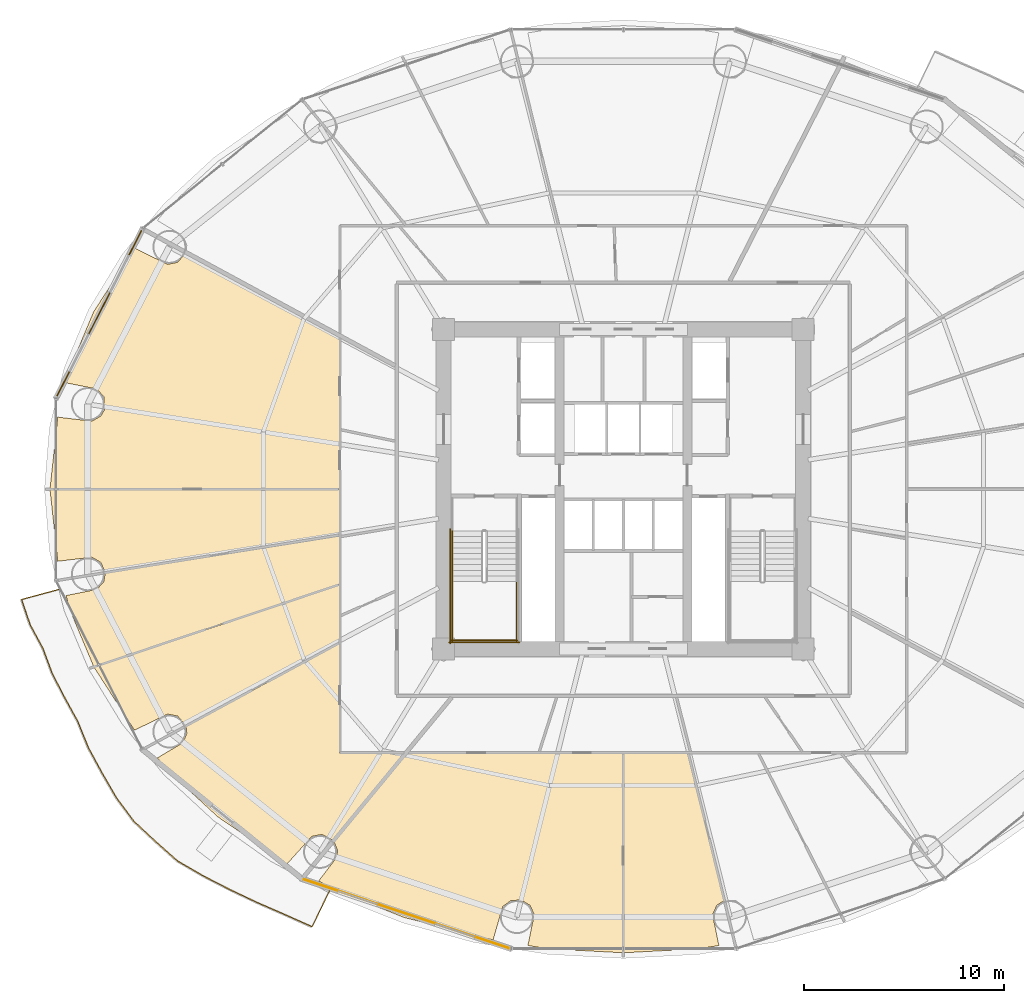
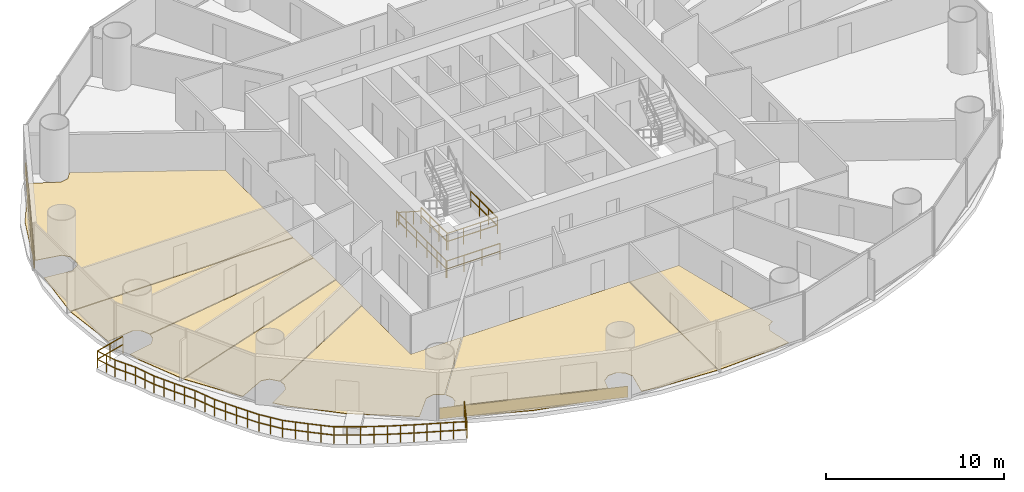
# One storey, part 26 of 29: 9 coverings, 7 railings.
"""IFC4 building model written with IfcOpenShell, lengths in metres."""

import ifcopenshell
import ifcopenshell.guid

model = None  # the IFC model being written
_history = None  # IfcOwnerHistory: only IFC2X3 demands one
_inside = {}  # id of a spatial element -> (the spatial element, [elements in it])
_under = {}  # id of a project, library or spatial element -> (it, [spatial elements below it])
_declared = {}  # id of a project -> (the project, [libraries it declares])
_typed = {}  # id of a type object -> (the type object, [elements of that type])
_made_of = {}  # id of a material, layer set ... -> (it, [elements and type objects made of it])


def new_model(schema):
    """Start an empty IFC model of exactly this schema.

    Asked for "IFC4X3", IfcOpenShell would pick the latest addendum, in which some entities
    have other attributes; the version numbers below select the first issue.
    IFC2X3 requires an IfcOwnerHistory on every rooted entity: one is made here for all.
    """
    global model, _history
    if schema == "IFC4X3":
        model = ifcopenshell.file(schema_version=(4, 3, 0, 0))
    else:
        model = ifcopenshell.file(schema=schema)
    _inside.clear()
    _under.clear()
    _declared.clear()
    _typed.clear()
    _made_of.clear()
    _history = None
    if model.schema == "IFC2X3":
        org = make("IfcOrganization", Name="unknown")
        user = make(
            "IfcPersonAndOrganization",
            ThePerson=make("IfcPerson", FamilyName="unknown"),
            TheOrganization=org,
        )
        app = make(
            "IfcApplication",
            ApplicationDeveloper=org,
            Version="unknown",
            ApplicationFullName="unknown",
            ApplicationIdentifier="unknown",
        )
        _history = make(
            "IfcOwnerHistory",
            OwningUser=user,
            OwningApplication=app,
            ChangeAction="ADDED",
            CreationDate=0,
        )
    return model


def make(cls, **values):
    """One entity of the class cls with the attributes given. An attribute that is None is left unset."""
    return model.create_entity(
        cls, **{name: value for name, value in values.items() if value is not None}
    )


def rooted(cls, **values):
    """An entity with a GlobalId (a new one), such as an element, a storey or a relation."""
    return make(cls, GlobalId=ifcopenshell.guid.new(), OwnerHistory=_history, **values)


def si_unit(unit_type, name, prefix=None):
    """IfcSIUnit, for example si_unit("LENGTHUNIT", "METRE", prefix="MILLI")."""
    return make("IfcSIUnit", UnitType=unit_type, Prefix=prefix, Name=name)


def assignment(units):
    """IfcUnitAssignment: the units of a project."""
    return None if units is None else make("IfcUnitAssignment", Units=units)


def point(xyz):
    """IfcCartesianPoint."""
    return None if xyz is None else make("IfcCartesianPoint", Coordinates=xyz)


def direction(xyz):
    """IfcDirection."""
    return None if xyz is None else make("IfcDirection", DirectionRatios=xyz)


def frame(location, z_axis=None, x_axis=None):
    """IfcAxis2Placement3D, a coordinate frame: its origin and axes. An axis left out is left unset."""
    return make(
        "IfcAxis2Placement3D",
        Location=point(location),
        Axis=direction(z_axis),
        RefDirection=direction(x_axis),
    )


def frame_2d(location, x_axis=None):
    """IfcAxis2Placement2D, a coordinate frame in the plane: its origin and x axis."""
    return make(
        "IfcAxis2Placement2D", Location=point(location), RefDirection=direction(x_axis)
    )


def origin():
    """The frame at (0, 0, 0) with its axes left unset."""
    return frame((0.0, 0.0, 0.0))


def origin_2d():
    """The frame at (0, 0) in the plane with its x axis left unset."""
    return frame_2d((0.0, 0.0))


def place(relative_to, where):
    """IfcLocalPlacement: puts the frame where relative to a parent placement (None: the world)."""
    return make(
        "IfcLocalPlacement", PlacementRelTo=relative_to, RelativePlacement=where
    )


def context(
    kind, dimensions, precision=None, world=None, true_north=None, identifier=None
):
    """IfcGeometricRepresentationContext, for example the 3D "Model" context."""
    return make(
        "IfcGeometricRepresentationContext",
        ContextIdentifier=identifier,
        ContextType=kind,
        CoordinateSpaceDimension=dimensions,
        Precision=precision,
        WorldCoordinateSystem=world,
        TrueNorth=true_north,
    )


def subcontext(parent, identifier, kind, view, scale=None):
    """IfcGeometricRepresentationSubContext, for example "Body" below "Model"."""
    return make(
        "IfcGeometricRepresentationSubContext",
        ContextIdentifier=identifier,
        ContextType=kind,
        ParentContext=parent,
        TargetScale=scale,
        TargetView=view,
    )


def project(units=None, contexts=None):
    """IfcProject with its units and contexts."""
    return rooted(
        "IfcProject",
        Name="project",
        RepresentationContexts=contexts,
        UnitsInContext=assignment(units),
    )


def spatial(cls, under=None, at=None, **own):
    """A site, building, storey or space (cls), placed at a placement, below another one or the project."""
    s = rooted(cls, ObjectPlacement=at, **own)
    if under is not None:
        _under.setdefault(under.id(), (under, []))[1].append(s)
    return s


def polyline(points):
    """IfcPolyline through the points."""
    return make("IfcPolyline", Points=[point(p) for p in points])


def profile(cls, at=None, kind="AREA", **sizes):
    """A parametric profile (cls). Its sizes go by their IFC names, for example OverallWidth=200.0."""
    return make(cls, ProfileType=kind, Position=at, **sizes)


def rectangle(**sizes):
    """IfcRectangleProfileDef."""
    return profile("IfcRectangleProfileDef", **sizes)


def outline(outer, holes=None, kind="AREA"):
    """IfcArbitraryClosedProfileDef: a profile drawn as a closed curve; with holes, ...WithVoids."""
    if holes is None:
        return make("IfcArbitraryClosedProfileDef", ProfileType=kind, OuterCurve=outer)
    return make(
        "IfcArbitraryProfileDefWithVoids",
        ProfileType=kind,
        OuterCurve=outer,
        InnerCurves=holes,
    )


def extrude(swept, where, along, depth):
    """IfcExtrudedAreaSolid: the profile swept, set in the frame where, extruded along a direction by depth."""
    return make(
        "IfcExtrudedAreaSolid",
        SweptArea=swept,
        Position=where,
        ExtrudedDirection=direction(along),
        Depth=depth,
    )


def shape(context_of_items, identifier, shape_type, items):
    """IfcShapeRepresentation: the items that make up one representation, for example the "Body"."""
    return make(
        "IfcShapeRepresentation",
        ContextOfItems=context_of_items,
        RepresentationIdentifier=identifier,
        RepresentationType=shape_type,
        Items=items,
    )


def source(mapping_origin, context_of_items, identifier, shape_type, items):
    """IfcRepresentationMap: a shape defined once, which mapped items show again and again."""
    return make(
        "IfcRepresentationMap",
        MappingOrigin=mapping_origin,
        MappedRepresentation=shape(context_of_items, identifier, shape_type, items),
    )


def transform(
    local_origin,
    x_axis=None,
    y_axis=None,
    z_axis=None,
    scale=None,
    scale2=None,
    scale3=None,
    uniform=True,
):
    """IfcCartesianTransformationOperator3D, or its non-uniform kind. x_axis, y_axis, z_axis: its Axis1, 2, 3."""
    if uniform:
        return make(
            "IfcCartesianTransformationOperator3D",
            Axis1=direction(x_axis),
            Axis2=direction(y_axis),
            LocalOrigin=point(local_origin),
            Scale=scale,
            Axis3=direction(z_axis),
        )
    return make(
        "IfcCartesianTransformationOperator3DnonUniform",
        Axis1=direction(x_axis),
        Axis2=direction(y_axis),
        LocalOrigin=point(local_origin),
        Scale=scale,
        Axis3=direction(z_axis),
        Scale2=scale2,
        Scale3=scale3,
    )


def mapped(mapping_source, mapping_target):
    """IfcMappedItem: shows the shape of a source again, moved by a transform."""
    return make(
        "IfcMappedItem", MappingSource=mapping_source, MappingTarget=mapping_target
    )


def material(Name=None, Category=None):
    """IfcMaterial."""
    return make("IfcMaterial", Name=Name, Category=Category)


def layer(
    of_material, thickness, ventilated=None, Name=None, Category=None, Priority=None
):
    """IfcMaterialLayer: one layer of a wall or slab, of a material (None: an air gap)."""
    return make(
        "IfcMaterialLayer",
        Material=of_material,
        LayerThickness=thickness,
        IsVentilated=ventilated,
        Name=Name,
        Category=Category,
        Priority=Priority,
    )


def layer_set(layers, Name=None):
    """IfcMaterialLayerSet."""
    return make("IfcMaterialLayerSet", MaterialLayers=layers, LayerSetName=Name)


def made_of(thing, what):
    """Note that an element or type object is made of a material, layer set ...; save() writes the relation."""
    if what is not None:
        _made_of.setdefault(what.id(), (what, []))[1].append(thing)
    return thing


def type_object(cls, material=None, **own):
    """A type object (cls), such as IfcWallType, which elements share."""
    return made_of(rooted(cls, **own), material)


def element(
    cls,
    number,
    at=None,
    inside=None,
    cuts=None,
    type_object=None,
    material=None,
    context=None,
    identifier="Body",
    shape_type=None,
    held_by="IfcProductDefinitionShape",
    body=None,
    shapes=None,
    **own,
):
    """One element of the class cls, such as IfcWall. Its Tag is "e" and its number.

    at: its placement. inside: the storey or other place that contains it. cuts: it is an
    opening in that element (IfcRelVoidsElement). A single representation is given by context,
    identifier, shape_type and body (its items); several are given by shapes. held_by: the class
    of the entity that holds the representations. save() writes the other relations.
    """
    e = rooted(cls, Tag="e%d" % number, ObjectPlacement=at, **own)
    if body is not None:
        shapes = [shape(context, identifier, shape_type, body)]
    if shapes is not None:
        e.Representation = make(held_by, Representations=shapes)
    if inside is not None:
        _inside.setdefault(inside.id(), (inside, []))[1].append(e)
    if cuts is not None:
        rooted(
            "IfcRelVoidsElement", RelatingBuildingElement=cuts, RelatedOpeningElement=e
        )
    if type_object is not None:
        _typed.setdefault(type_object.id(), (type_object, []))[1].append(e)
    return made_of(e, material)


def aggregate(whole, parts):
    """IfcRelAggregates: a whole, such as a stair, and the parts it consists of."""
    return rooted("IfcRelAggregates", RelatingObject=whole, RelatedObjects=parts)


def save(model, path):
    """Write the relations noted so far, then the file.

    IfcRelAggregates (storeys below a building ...), IfcRelContainedInSpatialStructure (elements
    in a storey), IfcRelDefinesByType, IfcRelAssociatesMaterial and IfcRelDeclares: one each for
    every whole, place, type object, material and project.
    """
    for whole, parts in _under.values():
        aggregate(whole, parts)
    for where, things in _inside.values():
        rooted(
            "IfcRelContainedInSpatialStructure",
            RelatedElements=things,
            RelatingStructure=where,
        )
    for kind, things in _typed.values():
        rooted("IfcRelDefinesByType", RelatedObjects=things, RelatingType=kind)
    for what, things in _made_of.values():
        rooted("IfcRelAssociatesMaterial", RelatedObjects=things, RelatingMaterial=what)
    for by, libraries in _declared.values():
        rooted("IfcRelDeclares", RelatingContext=by, RelatedDefinitions=libraries)
    model.write(path)


model = new_model("IFC4")

# Units and contexts
model_context = context("Model", 3, precision=1e-05, world=origin(), true_north=direction((-0.2419218956, 0.970295726276)))
body_context = subcontext(model_context, "Body", "Model", "MODEL_VIEW")
ifc_project = project(units=[si_unit("LENGTHUNIT", "METRE"), si_unit("AREAUNIT", "SQUARE_METRE"), si_unit("VOLUMEUNIT", "CUBIC_METRE"), si_unit("PLANEANGLEUNIT", "RADIAN"), si_unit("MASSUNIT", "GRAM", prefix="KILO")], contexts=[model_context])

# Site, building, storey
site_placement = place(None, origin())
site = spatial("IfcSite", under=ifc_project, at=site_placement, CompositionType="ELEMENT")
building_placement = place(site_placement, origin())
building = spatial("IfcBuilding", under=site, at=building_placement, Name="Cobrevalo Terracotta Tower", CompositionType="ELEMENT")
storey_placement = place(building_placement, frame((0.0, 0.0, 52.800048828125)))
storey = spatial("IfcBuildingStorey", under=building, at=storey_placement, Name="L13", CompositionType="ELEMENT", Elevation=52.800048828125)

# Railing
ifc_material_1 = material(Name="Laminated structural glass and stainless steel", Category="steel")
railing_type_1 = type_object("IfcRailingType", Name="Balcony lobe structural glass & terracotta-cap balustrade 1180 mm", PredefinedType="BALUSTRADE", material=ifc_material_1)
railing_1_placement = place(storey_placement, frame((9.814208984375, 21.8037109375, 0.0)))
element("IfcRailing", 1, at=railing_1_placement, inside=storey, type_object=railing_type_1, Name="L13 spiralling balcony lobe balustrade 2", PredefinedType="BALUSTRADE", context=body_context, shape_type="SweptSolid", body=[
    extrude(rectangle(XDim=0.048095703125, YDim=0.048095703125, at=origin_2d()), frame((0.0, 0.0, 1.15576171875), z_axis=(-0.965469080317, -0.260517667256, 0.0), x_axis=(0.260517667256, -0.965469080317, 0.0)), (0.0, 0.0, 1.0), 2.027099609375),
    extrude(rectangle(XDim=0.048095703125, YDim=0.048095703125, at=origin_2d()), frame((0.0, 0.0, 0.58984375), z_axis=(-0.965469080317, -0.260517667256, 0.0), x_axis=(0.260517667256, -0.965469080317, 0.0)), (0.0, 0.0, 1.0), 2.027099609375),
    extrude(rectangle(XDim=0.048095703125, YDim=0.048095703125, at=origin_2d()), frame((-1.95703125, -0.528076171875, 1.15576171875), z_axis=(0.319959396321, -0.947431255926, 0.0), x_axis=(0.947431255926, 0.319959396321, 0.0)), (0.0, 0.0, 1.0), 1.333740234375),
    extrude(rectangle(XDim=0.048095703125, YDim=0.048095703125, at=origin_2d()), frame((-1.95703125, -0.528076171875, 0.58984375), z_axis=(0.319959396321, -0.947431255926, 0.0), x_axis=(0.947431255926, 0.319959396321, 0.0)), (0.0, 0.0, 1.0), 1.333740234375),
    extrude(rectangle(XDim=0.048095703125, YDim=0.048095703125, at=origin_2d()), frame((-1.5302734375, -1.791748046875, 1.15576171875), z_axis=(0.474979027611, -0.879997115524, 0.0), x_axis=(0.879997115524, 0.474979027611, 0.0)), (0.0, 0.0, 1.0), 1.357421875),
    extrude(rectangle(XDim=0.048095703125, YDim=0.048095703125, at=origin_2d()), frame((-1.5302734375, -1.791748046875, 0.58984375), z_axis=(0.474979027611, -0.879997115524, 0.0), x_axis=(0.879997115524, 0.474979027611, 0.0)), (0.0, 0.0, 1.0), 1.357421875),
    extrude(rectangle(XDim=0.048095703125, YDim=0.048095703125, at=origin_2d()), frame((-0.885498046875, -2.986328125, 1.15576171875), z_axis=(0.347077609764, -0.937836410468, 0.0), x_axis=(0.937836410468, 0.347077609764, 0.0)), (0.0, 0.0, 1.0), 1.343505859375),
    extrude(rectangle(XDim=0.048095703125, YDim=0.048095703125, at=origin_2d()), frame((-0.885498046875, -2.986328125, 0.58984375), z_axis=(0.347077609764, -0.937836410468, 0.0), x_axis=(0.937836410468, 0.347077609764, 0.0)), (0.0, 0.0, 1.0), 1.343505859375),
    extrude(rectangle(XDim=0.048095703125, YDim=0.048095703125, at=origin_2d()), frame((-0.419189453125, -4.246337890625, 1.15576171875), z_axis=(0.46073326194, -0.887538653436, 0.0), x_axis=(0.887538653436, 0.46073326194, 0.0)), (0.0, 0.0, 1.0), 1.352783203125),
    extrude(rectangle(XDim=0.048095703125, YDim=0.048095703125, at=origin_2d()), frame((-0.419189453125, -4.246337890625, 0.58984375), z_axis=(0.46073326194, -0.887538653436, 0.0), x_axis=(0.887538653436, 0.46073326194, 0.0)), (0.0, 0.0, 1.0), 1.352783203125),
    extrude(rectangle(XDim=0.048095703125, YDim=0.048095703125, at=origin_2d()), frame((0.2041015625, -5.447021484375, 1.15576171875), z_axis=(0.480837032691, -0.876809983972, 0.0), x_axis=(0.876809983972, 0.480837032691, 0.0)), (0.0, 0.0, 1.0), 1.369384765625),
    extrude(rectangle(XDim=0.048095703125, YDim=0.048095703125, at=origin_2d()), frame((0.2041015625, -5.447021484375, 0.58984375), z_axis=(0.480837032691, -0.876809983972, 0.0), x_axis=(0.876809983972, 0.480837032691, 0.0)), (0.0, 0.0, 1.0), 1.369384765625),
    extrude(rectangle(XDim=0.048095703125, YDim=0.048095703125, at=origin_2d()), frame((0.862548828125, -6.647705078125, 1.15576171875), z_axis=(0.373188942552, -0.927755362775, 0.0), x_axis=(0.927755362775, 0.373188942552, 0.0)), (0.0, 0.0, 1.0), 1.40380859375),
    extrude(rectangle(XDim=0.048095703125, YDim=0.048095703125, at=origin_2d()), frame((0.862548828125, -6.647705078125, 0.58984375), z_axis=(0.373188942552, -0.927755362775, 0.0), x_axis=(0.927755362775, 0.373188942552, 0.0)), (0.0, 0.0, 1.0), 1.40380859375),
    extrude(rectangle(XDim=0.048095703125, YDim=0.048095703125, at=origin_2d()), frame((1.386474609375, -7.9501953125, 1.15576171875), z_axis=(0.477121913777, -0.87883711767, 0.0), x_axis=(0.87883711767, 0.477121913777, 0.0)), (0.0, 0.0, 1.0), 1.434326171875),
    extrude(rectangle(XDim=0.048095703125, YDim=0.048095703125, at=origin_2d()), frame((1.386474609375, -7.9501953125, 0.58984375), z_axis=(0.477121913777, -0.87883711767, 0.0), x_axis=(0.87883711767, 0.477121913777, 0.0)), (0.0, 0.0, 1.0), 1.434326171875),
    extrude(rectangle(XDim=0.048095703125, YDim=0.048095703125, at=origin_2d()), frame((2.07080078125, -9.210693359375, 1.15576171875), z_axis=(0.500744892975, -0.865594912277, 0.0), x_axis=(0.865594912277, 0.500744892975, 0.0)), (0.0, 0.0, 1.0), 1.453369140625),
    extrude(rectangle(XDim=0.048095703125, YDim=0.048095703125, at=origin_2d()), frame((2.07080078125, -9.210693359375, 0.58984375), z_axis=(0.500744892975, -0.865594912277, 0.0), x_axis=(0.865594912277, 0.500744892975, 0.0)), (0.0, 0.0, 1.0), 1.453369140625),
    extrude(rectangle(XDim=0.048095703125, YDim=0.048095703125, at=origin_2d()), frame((2.798583984375, -10.46875, 1.15576171875), z_axis=(0.59657311337, -0.802558733305, 0.0), x_axis=(0.802558733305, 0.59657311337, 0.0)), (0.0, 0.0, 1.0), 1.46142578125),
    extrude(rectangle(XDim=0.048095703125, YDim=0.048095703125, at=origin_2d()), frame((2.798583984375, -10.46875, 0.58984375), z_axis=(0.59657311337, -0.802558733305, 0.0), x_axis=(0.802558733305, 0.59657311337, 0.0)), (0.0, 0.0, 1.0), 1.46142578125),
    extrude(rectangle(XDim=0.048095703125, YDim=0.048095703125, at=origin_2d()), frame((3.67041015625, -11.6416015625, 1.15576171875), z_axis=(0.732198247048, -0.681091570216, 0.0), x_axis=(0.681091570216, 0.732198247048, 0.0)), (0.0, 0.0, 1.0), 1.47607421875),
    extrude(rectangle(XDim=0.048095703125, YDim=0.048095703125, at=origin_2d()), frame((3.67041015625, -11.6416015625, 0.58984375), z_axis=(0.732198247048, -0.681091570216, 0.0), x_axis=(0.681091570216, 0.732198247048, 0.0)), (0.0, 0.0, 1.0), 1.47607421875),
    extrude(rectangle(XDim=0.048095703125, YDim=0.048095703125, at=origin_2d()), frame((4.751220703125, -12.64697265625, 1.15576171875), z_axis=(0.747427617662, -0.664343251909, 0.0), x_axis=(0.664343251909, 0.747427617662, 0.0)), (0.0, 0.0, 1.0), 1.47216796875),
    extrude(rectangle(XDim=0.048095703125, YDim=0.048095703125, at=origin_2d()), frame((4.751220703125, -12.64697265625, 0.58984375), z_axis=(0.747427617662, -0.664343251909, 0.0), x_axis=(0.664343251909, 0.747427617662, 0.0)), (0.0, 0.0, 1.0), 1.47216796875),
    extrude(rectangle(XDim=0.048095703125, YDim=0.048095703125, at=origin_2d()), frame((5.8515625, -13.625, 1.15576171875), z_axis=(0.86531183652, -0.501233903061, 0.0), x_axis=(0.501233903061, 0.86531183652, 0.0)), (0.0, 0.0, 1.0), 1.509521484375),
    extrude(rectangle(XDim=0.048095703125, YDim=0.048095703125, at=origin_2d()), frame((5.8515625, -13.625, 0.58984375), z_axis=(0.86531183652, -0.501233903061, 0.0), x_axis=(0.501233903061, 0.86531183652, 0.0)), (0.0, 0.0, 1.0), 1.509521484375),
    extrude(rectangle(XDim=0.048095703125, YDim=0.048095703125, at=origin_2d()), frame((7.15771484375, -14.381591796875, 1.15576171875), z_axis=(0.889536703878, -0.456863713216, 0.0), x_axis=(0.456863713216, 0.889536703878, 0.0)), (0.0, 0.0, 1.0), 1.503662109375),
    extrude(rectangle(XDim=0.048095703125, YDim=0.048095703125, at=origin_2d()), frame((7.15771484375, -14.381591796875, 0.58984375), z_axis=(0.889536703878, -0.456863713216, 0.0), x_axis=(0.456863713216, 0.889536703878, 0.0)), (0.0, 0.0, 1.0), 1.503662109375),
    extrude(rectangle(XDim=0.048095703125, YDim=0.048095703125, at=origin_2d()), frame((8.495361328125, -15.068603515625, 1.15576171875), z_axis=(0.904089447049, -0.427343271545, 0.0), x_axis=(0.427343271545, 0.904089447049, 0.0)), (0.0, 0.0, 1.0), 1.497314453125),
    extrude(rectangle(XDim=0.048095703125, YDim=0.048095703125, at=origin_2d()), frame((8.495361328125, -15.068603515625, 0.58984375), z_axis=(0.904089447049, -0.427343271545, 0.0), x_axis=(0.427343271545, 0.904089447049, 0.0)), (0.0, 0.0, 1.0), 1.497314453125),
    extrude(rectangle(XDim=0.048095703125, YDim=0.048095703125, at=origin_2d()), frame((9.84912109375, -15.70849609375, 1.15576171875), z_axis=(0.916990345672, -0.398909395657, 0.0), x_axis=(0.398909395657, 0.916990345672, 0.0)), (0.0, 0.0, 1.0), 1.509765625),
    extrude(rectangle(XDim=0.048095703125, YDim=0.048095703125, at=origin_2d()), frame((9.84912109375, -15.70849609375, 0.58984375), z_axis=(0.916990345672, -0.398909395657, 0.0), x_axis=(0.398909395657, 0.916990345672, 0.0)), (0.0, 0.0, 1.0), 1.509765625),
    extrude(rectangle(XDim=0.048095703125, YDim=0.048095703125, at=origin_2d()), frame((11.233642578125, -16.310791015625, 1.15576171875), z_axis=(0.912622763108, -0.408802754709, 0.0), x_axis=(0.408802754709, 0.912622763108, 0.0)), (0.0, 0.0, 1.0), 1.495361328125),
    extrude(rectangle(XDim=0.048095703125, YDim=0.048095703125, at=origin_2d()), frame((11.233642578125, -16.310791015625, 0.58984375), z_axis=(0.912622763108, -0.408802754709, 0.0), x_axis=(0.408802754709, 0.912622763108, 0.0)), (0.0, 0.0, 1.0), 1.495361328125),
    extrude(rectangle(XDim=0.048095703125, YDim=0.048095703125, at=origin_2d()), frame((12.598388671875, -16.922119140625, 1.15576171875), z_axis=(0.433449876328, 0.901177676549, 0.0), x_axis=(-0.901177676549, 0.433449876328, 0.0)), (0.0, 0.0, 1.0), 1.987060546875),
    extrude(rectangle(XDim=0.048095703125, YDim=0.048095703125, at=origin_2d()), frame((12.598388671875, -16.922119140625, 0.58984375), z_axis=(0.433449876328, 0.901177676549, 0.0), x_axis=(-0.901177676549, 0.433449876328, 0.0)), (0.0, 0.0, 1.0), 1.987060546875),
    extrude(rectangle(XDim=0.0419921875, YDim=0.0419921875, at=origin_2d()), origin(), (0.0, 0.0, 1.0), 1.1318359375),
    extrude(rectangle(XDim=0.0419921875, YDim=0.0419921875, at=origin_2d()), frame((-0.978515625, -0.26416015625, 0.0)), (0.0, 0.0, 1.0), 1.1318359375),
    extrude(rectangle(XDim=0.0419921875, YDim=0.0419921875, at=origin_2d()), frame((-1.95703125, -0.528076171875, 0.0)), (0.0, 0.0, 1.0), 1.1318359375),
    extrude(rectangle(XDim=0.0419921875, YDim=0.0419921875, at=origin_2d()), frame((-1.74365234375, -1.159912109375, 0.0)), (0.0, 0.0, 1.0), 1.1318359375),
    extrude(rectangle(XDim=0.0419921875, YDim=0.0419921875, at=origin_2d()), frame((-1.5302734375, -1.791748046875, 0.0)), (0.0, 0.0, 1.0), 1.1318359375),
    extrude(rectangle(XDim=0.0419921875, YDim=0.0419921875, at=origin_2d()), frame((-1.2080078125, -2.38916015625, 0.0)), (0.0, 0.0, 1.0), 1.1318359375),
    extrude(rectangle(XDim=0.0419921875, YDim=0.0419921875, at=origin_2d()), frame((-0.885498046875, -2.986328125, 0.0)), (0.0, 0.0, 1.0), 1.1318359375),
    extrude(rectangle(XDim=0.0419921875, YDim=0.0419921875, at=origin_2d()), frame((-0.65234375, -3.6162109375, 0.0)), (0.0, 0.0, 1.0), 1.1318359375),
    extrude(rectangle(XDim=0.0419921875, YDim=0.0419921875, at=origin_2d()), frame((-0.419189453125, -4.246337890625, 0.0)), (0.0, 0.0, 1.0), 1.1318359375),
    extrude(rectangle(XDim=0.0419921875, YDim=0.0419921875, at=origin_2d()), frame((-0.107421875, -4.8466796875, 0.0)), (0.0, 0.0, 1.0), 1.1318359375),
    extrude(rectangle(XDim=0.0419921875, YDim=0.0419921875, at=origin_2d()), frame((0.2041015625, -5.447021484375, 0.0)), (0.0, 0.0, 1.0), 1.1318359375),
    extrude(rectangle(XDim=0.0419921875, YDim=0.0419921875, at=origin_2d()), frame((0.533203125, -6.04736328125, 0.0)), (0.0, 0.0, 1.0), 1.1318359375),
    extrude(rectangle(XDim=0.0419921875, YDim=0.0419921875, at=origin_2d()), frame((0.862548828125, -6.647705078125, 0.0)), (0.0, 0.0, 1.0), 1.1318359375),
    extrude(rectangle(XDim=0.0419921875, YDim=0.0419921875, at=origin_2d()), frame((1.12451171875, -7.298828125, 0.0)), (0.0, 0.0, 1.0), 1.1318359375),
    extrude(rectangle(XDim=0.0419921875, YDim=0.0419921875, at=origin_2d()), frame((1.386474609375, -7.9501953125, 0.0)), (0.0, 0.0, 1.0), 1.1318359375),
    extrude(rectangle(XDim=0.0419921875, YDim=0.0419921875, at=origin_2d()), frame((1.728515625, -8.58056640625, 0.0)), (0.0, 0.0, 1.0), 1.1318359375),
    extrude(rectangle(XDim=0.0419921875, YDim=0.0419921875, at=origin_2d()), frame((2.07080078125, -9.210693359375, 0.0)), (0.0, 0.0, 1.0), 1.1318359375),
    extrude(rectangle(XDim=0.0419921875, YDim=0.0419921875, at=origin_2d()), frame((2.4345703125, -9.83984375, 0.0)), (0.0, 0.0, 1.0), 1.1318359375),
    extrude(rectangle(XDim=0.0419921875, YDim=0.0419921875, at=origin_2d()), frame((2.798583984375, -10.46875, 0.0)), (0.0, 0.0, 1.0), 1.1318359375),
    extrude(rectangle(XDim=0.0419921875, YDim=0.0419921875, at=origin_2d()), frame((3.234375, -11.05517578125, 0.0)), (0.0, 0.0, 1.0), 1.1318359375),
    extrude(rectangle(XDim=0.0419921875, YDim=0.0419921875, at=origin_2d()), frame((3.67041015625, -11.6416015625, 0.0)), (0.0, 0.0, 1.0), 1.1318359375),
    extrude(rectangle(XDim=0.0419921875, YDim=0.0419921875, at=origin_2d()), frame((4.2109375, -12.144287109375, 0.0)), (0.0, 0.0, 1.0), 1.1318359375),
    extrude(rectangle(XDim=0.0419921875, YDim=0.0419921875, at=origin_2d()), frame((4.751220703125, -12.64697265625, 0.0)), (0.0, 0.0, 1.0), 1.1318359375),
    extrude(rectangle(XDim=0.0419921875, YDim=0.0419921875, at=origin_2d()), frame((5.30126953125, -13.135986328125, 0.0)), (0.0, 0.0, 1.0), 1.1318359375),
    extrude(rectangle(XDim=0.0419921875, YDim=0.0419921875, at=origin_2d()), frame((5.8515625, -13.625, 0.0)), (0.0, 0.0, 1.0), 1.1318359375),
    extrude(rectangle(XDim=0.0419921875, YDim=0.0419921875, at=origin_2d()), frame((6.504638671875, -14.00341796875, 0.0)), (0.0, 0.0, 1.0), 1.1318359375),
    extrude(rectangle(XDim=0.0419921875, YDim=0.0419921875, at=origin_2d()), frame((7.15771484375, -14.381591796875, 0.0)), (0.0, 0.0, 1.0), 1.1318359375),
    extrude(rectangle(XDim=0.0419921875, YDim=0.0419921875, at=origin_2d()), frame((7.82666015625, -14.72509765625, 0.0)), (0.0, 0.0, 1.0), 1.1318359375),
    extrude(rectangle(XDim=0.0419921875, YDim=0.0419921875, at=origin_2d()), frame((8.495361328125, -15.068603515625, 0.0)), (0.0, 0.0, 1.0), 1.1318359375),
    extrude(rectangle(XDim=0.0419921875, YDim=0.0419921875, at=origin_2d()), frame((9.17236328125, -15.388671875, 0.0)), (0.0, 0.0, 1.0), 1.1318359375),
    extrude(rectangle(XDim=0.0419921875, YDim=0.0419921875, at=origin_2d()), frame((9.84912109375, -15.70849609375, 0.0)), (0.0, 0.0, 1.0), 1.1318359375),
    extrude(rectangle(XDim=0.0419921875, YDim=0.0419921875, at=origin_2d()), frame((10.54150390625, -16.009765625, 0.0)), (0.0, 0.0, 1.0), 1.1318359375),
    extrude(rectangle(XDim=0.0419921875, YDim=0.0419921875, at=origin_2d()), frame((11.233642578125, -16.310791015625, 0.0)), (0.0, 0.0, 1.0), 1.1318359375),
    extrude(rectangle(XDim=0.0419921875, YDim=0.0419921875, at=origin_2d()), frame((11.916015625, -16.616455078125, 0.0)), (0.0, 0.0, 1.0), 1.1318359375),
    extrude(rectangle(XDim=0.0419921875, YDim=0.0419921875, at=origin_2d()), frame((12.598388671875, -16.922119140625, 0.0)), (0.0, 0.0, 1.0), 1.1318359375),
    extrude(rectangle(XDim=0.0419921875, YDim=0.0419921875, at=origin_2d()), frame((13.029052734375, -16.02685546875, 0.0)), (0.0, 0.0, 1.0), 1.1318359375),
    extrude(rectangle(XDim=0.0419921875, YDim=0.0419921875, at=origin_2d()), frame((13.459716796875, -15.13134765625, 0.0)), (0.0, 0.0, 1.0), 1.1318359375),
])

# Coverings
ifc_material_2 = material(Name="Engineered Brazilian hardwood flooring", Category="wood")
ifc_layer_1 = layer(ifc_material_2, 0.028076171875)
ifc_layer_set_1 = layer_set([ifc_layer_1], Name="Engineered Brazilian hardwood flooring")
covering_type_1 = type_object("IfcCoveringType", Name="Engineered Hardwood Suite Flooring 28", PredefinedType="FLOORING", material=ifc_layer_set_1)
covering_1_placement = place(storey_placement, origin())
element("IfcCovering", 2, at=covering_1_placement, inside=storey, type_object=covering_type_1, Name="Flat L13C Penthouse Living and Dining Room floor finish", PredefinedType="FLOORING", context=body_context, shape_type="SweptSolid", body=[
    extrude(outline(polyline([(9.668701171875, 30.4111328125), (11.380615234375, 30.206787109375), (11.821533203125, 30.465087890625), (12.0009765625, 30.757568359375), (11.974853515625, 31.4306640625), (11.6357421875, 31.81298828125), (10.090576171875, 32.126220703125), (10.25830078125, 32.80859375), (11.465576171875, 35.684326171875), (13.511962890625, 38.87451171875), (15.173583984375, 38.063232421875), (15.674560546875, 38.163330078125), (16.084716796875, 38.643310546875), (23.784912109375, 34.47412109375), (23.784912109375, 26.820068359375), (9.28173828125, 26.820068359375), (9.668701171875, 30.4111328125)])), origin(), (0.0, 0.0, 1.0), 0.030029296875),
])
covering_2_placement = place(storey_placement, origin())
element("IfcCovering", 3, at=covering_2_placement, inside=storey, type_object=covering_type_1, Name="Flat L13C Master Bedroom floor finish", PredefinedType="FLOORING", context=body_context, shape_type="SweptSolid", body=[
    extrude(outline(polyline([(9.28173828125, 26.780029296875), (23.784912109375, 26.780029296875), (23.784912109375, 24.529052734375), (12.047119140625, 22.636962890625), (11.821533203125, 23.135009765625), (11.380615234375, 23.39306640625), (9.668701171875, 23.18896484375), (9.28173828125, 26.780029296875)])), origin(), (0.0, 0.0, 1.0), 0.030029296875),
])
covering_3_placement = place(storey_placement, origin())
element("IfcCovering", 4, at=covering_3_placement, inside=storey, type_object=covering_type_1, Name="Flat L13C Principal Guest Bedroom floor finish", PredefinedType="FLOORING", context=body_context, shape_type="SweptSolid", body=[
    extrude(outline(polyline([(10.25830078125, 20.791259765625), (10.090576171875, 21.473876953125), (11.6357421875, 21.787109375), (11.974853515625, 22.169189453125), (12.04931640625, 22.596923828125), (23.784912109375, 24.488525390625), (23.784912109375, 22.0498046875), (11.468505859375, 17.91552734375), (10.25830078125, 20.791259765625)])), origin(), (0.0, 0.0, 1.0), 0.030029296875),
])
covering_4_placement = place(storey_placement, origin())
element("IfcCovering", 5, at=covering_4_placement, inside=storey, type_object=covering_type_1, Name="Flat L13C Principal Guest Bedroom floor finish", PredefinedType="FLOORING", context=body_context, shape_type="SweptSolid", body=[
    extrude(outline(polyline([(11.4873046875, 17.8798828125), (23.784912109375, 22.007568359375), (23.784912109375, 19.1259765625), (16.084716796875, 14.95654296875), (15.674560546875, 15.436767578125), (15.173583984375, 15.53662109375), (13.511962890625, 14.7255859375), (11.4873046875, 17.8798828125)])), origin(), (0.0, 0.0, 1.0), 0.030029296875),
])
covering_5_placement = place(storey_placement, origin())
element("IfcCovering", 6, at=covering_5_placement, inside=storey, type_object=covering_type_1, Name="Flat L13C Penthouse Family Lounge floor finish", PredefinedType="FLOORING", context=body_context, shape_type="SweptSolid", body=[
    extrude(outline(polyline([(14.65576171875, 13.341064453125), (15.939208984375, 14.10205078125), (16.135009765625, 14.573974609375), (16.09765625, 14.91796875), (23.784912109375, 19.08056640625), (23.784912109375, 13.5849609375), (27.077392578125, 13.5849609375), (23.468017578125, 9.20751953125), (22.899658203125, 9.50732421875), (22.3974609375, 9.412353515625), (21.156494140625, 8.03271484375), (17.6904296875, 10.38232421875), (15.213623046875, 12.666259765625), (14.65576171875, 13.341064453125)])), origin(), (0.0, 0.0, 1.0), 0.030029296875),
])
covering_6_placement = place(storey_placement, origin())
element("IfcCovering", 7, at=covering_6_placement, inside=storey, type_object=covering_type_1, Name="Flat L13D Penthouse Living and Dining Room floor finish", PredefinedType="FLOORING", context=body_context, shape_type="SweptSolid", body=[
    extrude(outline(polyline([(23.4951171875, 9.177490234375), (27.12939453125, 13.5849609375), (37.97998046875, 13.5849609375), (37.97998046875, 3.5810546875), (34.250732421875, 3.77880859375), (33.21630859375, 3.945068359375), (33.53466796875, 5.500244140625), (33.3154296875, 5.9619140625), (32.876953125, 6.223876953125), (32.36669921875, 6.197998046875), (31.95654296875, 5.89306640625), (31.472412109375, 4.2255859375), (27.008056640625, 5.34814453125), (23.638427734375, 6.691650390625), (22.73681640625, 7.178955078125), (23.64501953125, 8.369140625), (23.681884765625, 8.71044921875), (23.4951171875, 9.177490234375)])), origin(), (0.0, 0.0, 1.0), 0.030029296875),
])
covering_7_placement = place(storey_placement, origin())
element("IfcCovering", 8, at=covering_7_placement, inside=storey, type_object=covering_type_1, Name="Flat L13D Master Bedroom floor finish", PredefinedType="FLOORING", context=body_context, shape_type="SweptSolid", body=[
    extrude(outline(polyline([(38.02001953125, 3.5810546875), (38.02001953125, 13.5849609375), (41.22314453125, 13.5849609375), (43.03759765625, 6.193359375), (42.6845703125, 5.9619140625), (42.46533203125, 5.500244140625), (42.78369140625, 3.945068359375), (41.749267578125, 3.77880859375), (38.02001953125, 3.5810546875)])), origin(), (0.0, 0.0, 1.0), 0.030029296875),
])

# Railings
ifc_material_3 = material(Name="Brushed stainless steel", Category="steel")
railing_type_2 = type_object("IfcRailingType", Name="Stainless Steel Stair Handrail 900", PredefinedType="HANDRAIL", material=ifc_material_3)
railing_2_placement = place(storey_placement, frame((29.425048828125, 24.699951171875, 0.179931640625)))
element("IfcRailing", 9, at=railing_2_placement, inside=storey, type_object=railing_type_2, Name="L13 ST-1 stair handrail 1", PredefinedType="HANDRAIL", context=body_context, shape_type="SweptSolid", body=[
    extrude(rectangle(XDim=0.048095703125, YDim=0.048095703125, at=origin_2d()), frame((0.0, 0.0, 0.8759765625), z_axis=(0.0, -0.841162588446, 0.540782303519), x_axis=(1.0, 0.0, 0.0)), (0.0, 0.0, 1.0), 2.995849609375),
    extrude(rectangle(XDim=0.0419921875, YDim=0.0419921875, at=origin_2d()), origin(), (0.0, 0.0, 1.0), 0.851806640625),
    extrude(rectangle(XDim=0.0419921875, YDim=0.0419921875, at=origin_2d()), frame((0.0, -0.840087890625, 0.5400390625)), (0.0, 0.0, 1.0), 0.851806640625),
    extrude(rectangle(XDim=0.0419921875, YDim=0.0419921875, at=origin_2d()), frame((0.0, -1.679931640625, 1.080078125)), (0.0, 0.0, 1.0), 0.851806640625),
    extrude(rectangle(XDim=0.0419921875, YDim=0.0419921875, at=origin_2d()), frame((0.0, -2.52001953125, 1.6201171875)), (0.0, 0.0, 1.0), 0.851806640625),
])
ifc_material_4 = material(Name="Painted galvanized steel", Category="steel")
railing_type_3 = type_object("IfcRailingType", Name="Stair Well Guard Balustrade 1150", PredefinedType="GUARDRAIL", material=ifc_material_4)
for number, where, name in (
    (10, (29.425048828125, 22.179931640625, 1.800048828125), "L13 ST-1 stair guard 3"),
    (11, (32.64501953125, 22.179931640625, 1.800048828125), "L13 ST-1 stair guard 4"),
):
    element("IfcRailing", number, at=place(storey_placement, frame(where)), inside=storey, type_object=railing_type_3, Name=name, PredefinedType="GUARDRAIL", context=body_context, shape_type="SweptSolid", body=[
        extrude(rectangle(XDim=0.048095703125, YDim=0.048095703125, at=origin_2d()), frame((0.0, 0.0, 1.1259765625), z_axis=(0.0, -1.0, 0.0), x_axis=(1.0, 0.0, 0.0)), (0.0, 0.0, 1.0), 3.0048828125),
        extrude(rectangle(XDim=0.048095703125, YDim=0.048095703125, at=origin_2d()), frame((0.0, 0.0, 0.574951171875), z_axis=(0.0, -1.0, 0.0), x_axis=(1.0, 0.0, 0.0)), (0.0, 0.0, 1.0), 3.0048828125),
        extrude(rectangle(XDim=0.0419921875, YDim=0.0419921875, at=origin_2d()), origin(), (0.0, 0.0, 1.0), 1.101806640625),
        extrude(rectangle(XDim=0.0419921875, YDim=0.0419921875, at=origin_2d()), frame((0.0, -1.001708984375, 0.0)), (0.0, 0.0, 1.0), 1.101806640625),
        extrude(rectangle(XDim=0.0419921875, YDim=0.0419921875, at=origin_2d()), frame((0.0, -2.003173828125, 0.0)), (0.0, 0.0, 1.0), 1.101806640625),
        extrude(rectangle(XDim=0.0419921875, YDim=0.0419921875, at=origin_2d()), frame((0.0, -3.0048828125, 0.0)), (0.0, 0.0, 1.0), 1.101806640625),
    ])
railing_3_placement = place(storey_placement, frame((29.375, 19.22509765625, 1.800048828125)))
element("IfcRailing", 12, at=railing_3_placement, inside=storey, type_object=railing_type_3, Name="L13 ST-1 stair guard 5", PredefinedType="GUARDRAIL", context=body_context, shape_type="SweptSolid", body=[
    extrude(rectangle(XDim=0.048095703125, YDim=0.048095703125, at=origin_2d()), frame((0.0, 0.0, 1.1259765625), z_axis=(1.0, 0.0, 0.0), x_axis=(0.0, 1.0, 0.0)), (0.0, 0.0, 1.0), 3.320068359375),
    extrude(rectangle(XDim=0.048095703125, YDim=0.048095703125, at=origin_2d()), frame((0.0, 0.0, 0.574951171875), z_axis=(1.0, 0.0, 0.0), x_axis=(0.0, 1.0, 0.0)), (0.0, 0.0, 1.0), 3.320068359375),
    extrude(rectangle(XDim=0.0419921875, YDim=0.0419921875, at=origin_2d()), origin(), (0.0, 0.0, 1.0), 1.101806640625),
    extrude(rectangle(XDim=0.0419921875, YDim=0.0419921875, at=origin_2d()), frame((1.106689453125, 0.0, 0.0)), (0.0, 0.0, 1.0), 1.101806640625),
    extrude(rectangle(XDim=0.0419921875, YDim=0.0419921875, at=origin_2d()), frame((2.21337890625, 0.0, 0.0)), (0.0, 0.0, 1.0), 1.101806640625),
    extrude(rectangle(XDim=0.0419921875, YDim=0.0419921875, at=origin_2d()), frame((3.320068359375, 0.0, 0.0)), (0.0, 0.0, 1.0), 1.101806640625),
])
railing_4_placement = place(storey_placement, frame((29.324951171875, 24.800048828125, 0.0)))
element("IfcRailing", 13, at=railing_4_placement, inside=storey, type_object=railing_type_3, Name="L13 ST-1 stair guard 10", PredefinedType="GUARDRAIL", context=body_context, shape_type="SweptSolid", body=[
    extrude(rectangle(XDim=0.048095703125, YDim=0.048095703125, at=origin_2d()), frame((0.0, 0.0, 1.1259765625), z_axis=(0.0, -1.0, 0.0), x_axis=(1.0, 0.0, 0.0)), (0.0, 0.0, 1.0), 5.72509765625),
    extrude(rectangle(XDim=0.048095703125, YDim=0.048095703125, at=origin_2d()), frame((0.0, 0.0, 0.574951171875), z_axis=(0.0, -1.0, 0.0), x_axis=(1.0, 0.0, 0.0)), (0.0, 0.0, 1.0), 5.72509765625),
    extrude(rectangle(XDim=0.0419921875, YDim=0.0419921875, at=origin_2d()), origin(), (0.0, 0.0, 1.0), 1.101806640625),
    extrude(rectangle(XDim=0.0419921875, YDim=0.0419921875, at=origin_2d()), frame((0.0, -1.14501953125, 0.0)), (0.0, 0.0, 1.0), 1.101806640625),
    extrude(rectangle(XDim=0.0419921875, YDim=0.0419921875, at=origin_2d()), frame((0.0, -2.2900390625, 0.0)), (0.0, 0.0, 1.0), 1.101806640625),
    extrude(rectangle(XDim=0.0419921875, YDim=0.0419921875, at=origin_2d()), frame((0.0, -3.43505859375, 0.0)), (0.0, 0.0, 1.0), 1.101806640625),
    extrude(rectangle(XDim=0.0419921875, YDim=0.0419921875, at=origin_2d()), frame((0.0, -4.580078125, 0.0)), (0.0, 0.0, 1.0), 1.101806640625),
    extrude(rectangle(XDim=0.0419921875, YDim=0.0419921875, at=origin_2d()), frame((0.0, -5.72509765625, 0.0)), (0.0, 0.0, 1.0), 1.101806640625),
])
railing_5_placement = place(storey_placement, frame((29.27490234375, 19.125, 0.0)))
element("IfcRailing", 14, at=railing_5_placement, inside=storey, type_object=railing_type_3, Name="L13 ST-1 stair guard 12", PredefinedType="GUARDRAIL", context=body_context, shape_type="SweptSolid", body=[
    extrude(rectangle(XDim=0.048095703125, YDim=0.048095703125, at=origin_2d()), frame((0.0, 0.0, 1.1259765625), z_axis=(1.0, 0.0, 0.0), x_axis=(0.0, 1.0, 0.0)), (0.0, 0.0, 1.0), 3.52001953125),
    extrude(rectangle(XDim=0.048095703125, YDim=0.048095703125, at=origin_2d()), frame((0.0, 0.0, 0.574951171875), z_axis=(1.0, 0.0, 0.0), x_axis=(0.0, 1.0, 0.0)), (0.0, 0.0, 1.0), 3.52001953125),
    extrude(rectangle(XDim=0.0419921875, YDim=0.0419921875, at=origin_2d()), origin(), (0.0, 0.0, 1.0), 1.101806640625),
    extrude(rectangle(XDim=0.0419921875, YDim=0.0419921875, at=origin_2d()), frame((1.17333984375, 0.0, 0.0)), (0.0, 0.0, 1.0), 1.101806640625),
    extrude(rectangle(XDim=0.0419921875, YDim=0.0419921875, at=origin_2d()), frame((2.3466796875, 0.0, 0.0)), (0.0, 0.0, 1.0), 1.101806640625),
    extrude(rectangle(XDim=0.0419921875, YDim=0.0419921875, at=origin_2d()), frame((3.52001953125, 0.0, 0.0)), (0.0, 0.0, 1.0), 1.101806640625),
])

# Coverings
ifc_material_5 = material(Name="Glazed terracotta facade cladding tile", Category="masonry")
ifc_layer_2 = layer(ifc_material_5, 0.044921875)
ifc_layer_set_2 = layer_set([ifc_layer_2], Name="Glazed terracotta facade cladding tile")
covering_type_2 = type_object("IfcCoveringType", Name="Architectural terracotta rainscreen spandrel cladding 45 mm", PredefinedType="CLADDING", material=ifc_layer_set_2)
shared_shape_1 = source(origin(), body_context, "Body", "SweptSolid", [
    extrude(rectangle(XDim=9.30224609375, YDim=0.044921875, at=origin_2d()), origin(), (0.0, 0.0, 1.0), 0.760009765625),
])
covering_8_placement = place(storey_placement, frame((11.74951171875, 35.60888671875, 0.0400390625), z_axis=(0.0, 0.0, 1.0), x_axis=(-0.45523102861, -0.890373354605, 0.0)))
element("IfcCovering", 15, at=covering_8_placement, inside=storey, type_object=covering_type_2, Name="L13 terracotta spandrel cladding S07", PredefinedType="CLADDING", context=body_context, shape_type="MappedRepresentation", body=[
    mapped(shared_shape_1, transform((0.0, 0.0, 0.0), scale=1.0)),
])
shared_shape_2 = source(origin(), body_context, "Body", "SweptSolid", [
    extrude(rectangle(XDim=10.8154296875, YDim=0.044921875, at=origin_2d()), origin(), (0.0, 0.0, 1.0), 0.760009765625),
])
covering_9_placement = place(storey_placement, frame((27.126708984375, 5.533203125, 0.0400390625), z_axis=(0.0, 0.0, 1.0), x_axis=(0.948044172593, -0.318138722592, 0.0)))
element("IfcCovering", 16, at=covering_9_placement, inside=storey, type_object=covering_type_2, Name="L13 terracotta spandrel cladding S11", PredefinedType="CLADDING", context=body_context, shape_type="MappedRepresentation", body=[
    mapped(shared_shape_2, transform((0.0, 0.0, 0.0), scale=1.0)),
])

save(model, "model.ifc")
